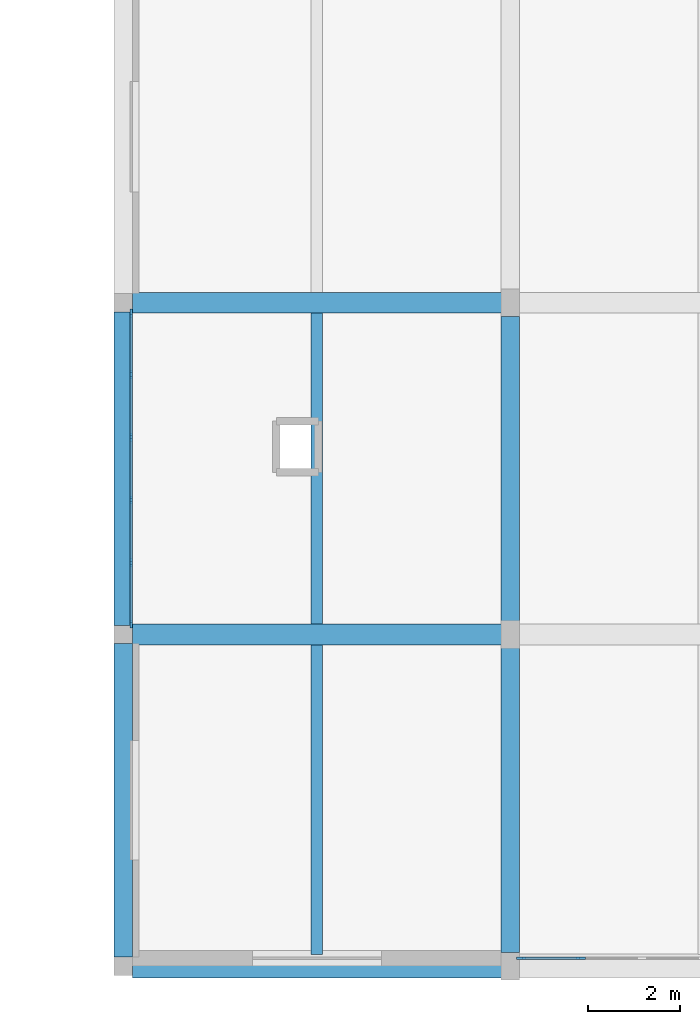
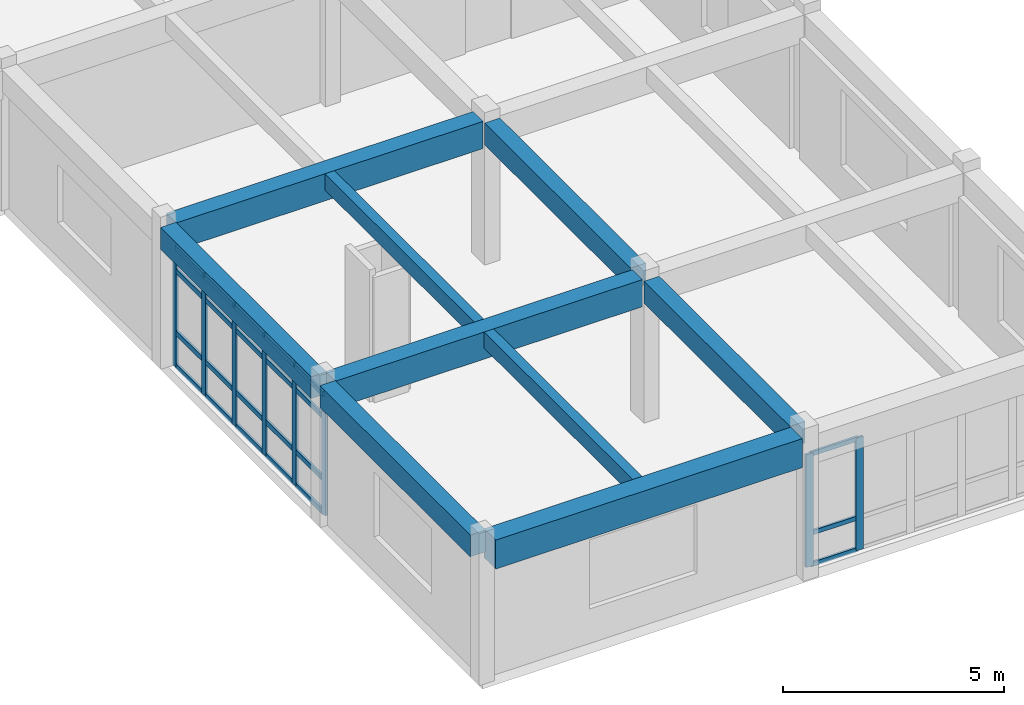
# One storey, part 43 of 147: 31 members, 9 beams, 2 elements without a shape of their own.
"""IFC4 building model written with IfcOpenShell, lengths in metres."""

from ifc_helpers import new_model, si_unit, direction, frame, origin, origin_2d, place, context, subcontext, project, spatial, rectangle, extrude, material, material_profile, profile_set, type_object, element, aggregate, save


model = new_model("IFC4")

# Units and contexts
model_context = context("Model", 3, precision=1e-05, world=origin(), true_north=direction((0.0, 1.0)))
body_context = subcontext(model_context, "Body", "Model", "MODEL_VIEW")
ifc_project = project(units=[si_unit("LENGTHUNIT", "METRE"), si_unit("AREAUNIT", "SQUARE_METRE"), si_unit("VOLUMEUNIT", "CUBIC_METRE"), si_unit("PLANEANGLEUNIT", "RADIAN"), si_unit("MASSUNIT", "GRAM", prefix="KILO")], contexts=[model_context])

# Site, building, storey
site_placement = place(None, origin())
site = spatial("IfcSite", under=ifc_project, at=site_placement, CompositionType="ELEMENT")
building_placement = place(site_placement, origin())
building = spatial("IfcBuilding", under=site, at=building_placement, Name="Malvenik Polytechnic", CompositionType="ELEMENT")
storey_placement = place(building_placement, frame((0.0, 0.0, 5.10009765625)))
storey = spatial("IfcBuildingStorey", under=building, at=storey_placement, Name="L01", CompositionType="ELEMENT", Elevation=5.10009765625)

# Curtain wall, members
ifc_material_1 = material(Name="Anodised aluminium 6060-T6", Category="aluminium")
curtain_wall_type_1 = type_object("IfcCurtainWallType", Name="ARC-CW-CW-05", PredefinedType="NOTDEFINED", material=ifc_material_1)
curtain_wall_1_placement = place(storey_placement, origin())
curtain_wall_1 = element("IfcCurtainWall", 1, at=curtain_wall_1_placement, inside=storey, type_object=curtain_wall_type_1, Name="Unitised Curtain Wall CW-05 L01 #112", PredefinedType="NOTDEFINED")
ifc_material_2 = material(Name="Anodised aluminium", Category="aluminium")
ifc_material_profile_1 = material_profile(ifc_material_2, rectangle(XDim=0.06005859375, YDim=0.179931640625, at=origin_2d()), Name="ALU MULLION 60x180")
ifc_profile_set_1 = profile_set([ifc_material_profile_1], Name="Anodised aluminium")
member_type_1 = type_object("IfcMemberType", Name="ARC-CWM-180", PredefinedType="MULLION", material=ifc_profile_set_1)
member_1_placement = place(storey_placement, frame((117.77001953125, 7.427978515625, 0.0), z_axis=(0.0, 0.0, 1.0), x_axis=(-1.0, 0.0, 0.0)))
member_1 = element("IfcMember", 2, at=member_1_placement, type_object=member_type_1, Name="CW-05 mullion 1", PredefinedType="MULLION", context=body_context, shape_type="SweptSolid", body=[
    extrude(rectangle(XDim=0.06005859375, YDim=0.179931640625, at=origin_2d()), origin(), (0.0, 0.0, 1.0), 3.309814453125),
])
member_2_placement = place(storey_placement, frame((117.77001953125, 8.7587890625, 0.0), z_axis=(0.0, 0.0, 1.0), x_axis=(-1.0, 0.0, 0.0)))
member_2 = element("IfcMember", 3, at=member_2_placement, type_object=member_type_1, Name="CW-05 mullion 2", PredefinedType="MULLION", context=body_context, shape_type="SweptSolid", body=[
    extrude(rectangle(XDim=0.06005859375, YDim=0.179931640625, at=origin_2d()), origin(), (0.0, 0.0, 1.0), 3.309814453125),
])
member_3_placement = place(storey_placement, frame((117.77001953125, 10.11962890625, 0.0), z_axis=(0.0, 0.0, 1.0), x_axis=(-1.0, 0.0, 0.0)))
member_3 = element("IfcMember", 4, at=member_3_placement, type_object=member_type_1, Name="CW-05 mullion 3", PredefinedType="MULLION", context=body_context, shape_type="SweptSolid", body=[
    extrude(rectangle(XDim=0.06005859375, YDim=0.179931640625, at=origin_2d()), origin(), (0.0, 0.0, 1.0), 3.309814453125),
])
member_4_placement = place(storey_placement, frame((117.77001953125, 11.48046875, 0.0), z_axis=(0.0, 0.0, 1.0), x_axis=(-1.0, 0.0, 0.0)))
member_4 = element("IfcMember", 5, at=member_4_placement, type_object=member_type_1, Name="CW-05 mullion 4", PredefinedType="MULLION", context=body_context, shape_type="SweptSolid", body=[
    extrude(rectangle(XDim=0.06005859375, YDim=0.179931640625, at=origin_2d()), origin(), (0.0, 0.0, 1.0), 3.309814453125),
])
member_5_placement = place(storey_placement, frame((117.77001953125, 12.84130859375, 0.0), z_axis=(0.0, 0.0, 1.0), x_axis=(-1.0, 0.0, 0.0)))
member_5 = element("IfcMember", 6, at=member_5_placement, type_object=member_type_1, Name="CW-05 mullion 5", PredefinedType="MULLION", context=body_context, shape_type="SweptSolid", body=[
    extrude(rectangle(XDim=0.06005859375, YDim=0.179931640625, at=origin_2d()), origin(), (0.0, 0.0, 1.0), 3.309814453125),
])
member_6_placement = place(storey_placement, frame((117.77001953125, 14.172119140625, 0.0), z_axis=(0.0, 0.0, 1.0), x_axis=(-1.0, 0.0, 0.0)))
member_6 = element("IfcMember", 7, at=member_6_placement, type_object=member_type_1, Name="CW-05 mullion 6", PredefinedType="MULLION", context=body_context, shape_type="SweptSolid", body=[
    extrude(rectangle(XDim=0.06005859375, YDim=0.179931640625, at=origin_2d()), origin(), (0.0, 0.0, 1.0), 3.309814453125),
])

curtain_wall_type_2 = type_object("IfcCurtainWallType", Name="ARC-CW-CW-02", PredefinedType="NOTDEFINED", material=ifc_material_1)
curtain_wall_2_placement = place(storey_placement, origin())
curtain_wall_2 = element("IfcCurtainWall", 8, at=curtain_wall_2_placement, inside=storey, type_object=curtain_wall_type_2, Name="Unitised Curtain Wall CW-02 L01 #111", PredefinedType="NOTDEFINED")
ifc_material_profile_2 = material_profile(ifc_material_2, rectangle(XDim=0.06005859375, YDim=0.199951171875, at=origin_2d()), Name="ALU MULLION 60x200")
ifc_profile_set_2 = profile_set([ifc_material_profile_2], Name="Anodised aluminium")
member_type_2 = type_object("IfcMemberType", Name="ARC-CWM-200", PredefinedType="MULLION", material=ifc_profile_set_2)
member_7_placement = place(storey_placement, frame((127.52783203125, 0.169921875, 0.0), z_axis=(0.0, 0.0, 1.0), x_axis=(0.0, -1.0, 0.0)))
member_7 = element("IfcMember", 9, at=member_7_placement, type_object=member_type_2, Name="CW-02 mullion 6", PredefinedType="MULLION", context=body_context, shape_type="SweptSolid", body=[
    extrude(rectangle(XDim=0.06005859375, YDim=0.199951171875, at=origin_2d()), origin(), (0.0, 0.0, 1.0), 3.10986328125),
])
member_8_placement = place(storey_placement, frame((126.22802734375, 0.169921875, 0.0), z_axis=(0.0, 0.0, 1.0), x_axis=(0.0, -1.0, 0.0)))
member_8 = element("IfcMember", 10, at=member_8_placement, type_object=member_type_2, Name="CW-02 mullion 7", PredefinedType="MULLION", context=body_context, shape_type="SweptSolid", body=[
    extrude(rectangle(XDim=0.06005859375, YDim=0.199951171875, at=origin_2d()), origin(), (0.0, 0.0, 1.0), 3.10986328125),
])
ifc_material_profile_3 = material_profile(ifc_material_2, rectangle(XDim=0.06005859375, YDim=0.1201171875, at=origin_2d()), Name="ALU TRANSOM 60x120")
ifc_profile_set_3 = profile_set([ifc_material_profile_3], Name="Anodised aluminium")
member_type_3 = type_object("IfcMemberType", Name="ARC-CWT-120", PredefinedType="USERDEFINED", material=ifc_profile_set_3)
member_9_placement = place(storey_placement, frame((127.497802734375, 0.169921875, 0.02978515625), z_axis=(-1.0, 0.0, 0.0), x_axis=(0.0, -1.0, 0.0)))
member_9 = element("IfcMember", 11, at=member_9_placement, type_object=member_type_3, Name="CW-02 transom 6.1", ObjectType="TRANSOM", PredefinedType="USERDEFINED", context=body_context, shape_type="SweptSolid", body=[
    extrude(rectangle(XDim=0.06005859375, YDim=0.1201171875, at=origin_2d()), origin(), (0.0, 0.0, 1.0), 1.23974609375),
])
member_10_placement = place(storey_placement, frame((127.497802734375, 0.169921875, 0.89990234375), z_axis=(-1.0, 0.0, 0.0), x_axis=(0.0, -1.0, 0.0)))
member_10 = element("IfcMember", 12, at=member_10_placement, type_object=member_type_3, Name="CW-02 transom 6.2", ObjectType="TRANSOM", PredefinedType="USERDEFINED", context=body_context, shape_type="SweptSolid", body=[
    extrude(rectangle(XDim=0.06005859375, YDim=0.1201171875, at=origin_2d()), origin(), (0.0, 0.0, 1.0), 1.23974609375),
])
member_11_placement = place(storey_placement, frame((127.497802734375, 0.169921875, 3.079833984375), z_axis=(-1.0, 0.0, 0.0), x_axis=(0.0, -1.0, 0.0)))
member_11 = element("IfcMember", 13, at=member_11_placement, type_object=member_type_3, Name="CW-02 transom 6.3", ObjectType="TRANSOM", PredefinedType="USERDEFINED", context=body_context, shape_type="SweptSolid", body=[
    extrude(rectangle(XDim=0.06005859375, YDim=0.1201171875, at=origin_2d()), origin(), (0.0, 0.0, 1.0), 1.23974609375),
])
aggregate(curtain_wall_2, [member_7, member_8, member_9, member_10, member_11])

# Member
ifc_material_profile_4 = material_profile(ifc_material_2, rectangle(XDim=0.06005859375, YDim=0.139892578125, at=origin_2d()), Name="ALU TRANSOM 60x140")
ifc_profile_set_4 = profile_set([ifc_material_profile_4], Name="Anodised aluminium")
member_type_4 = type_object("IfcMemberType", Name="ARC-CWT-140", PredefinedType="USERDEFINED", material=ifc_profile_set_4)
member_12_placement = place(storey_placement, frame((117.77001953125, 7.4580078125, 0.02978515625), z_axis=(0.0, 1.0, 0.0), x_axis=(-1.0, 0.0, 0.0)))
member_12 = element("IfcMember", 14, at=member_12_placement, type_object=member_type_4, Name="CW-05 transom 1.1", ObjectType="TRANSOM", PredefinedType="USERDEFINED", context=body_context, shape_type="SweptSolid", body=[
    extrude(rectangle(XDim=0.06005859375, YDim=0.139892578125, at=origin_2d()), origin(), (0.0, 0.0, 1.0), 1.270751953125),
])

member_13_placement = place(storey_placement, frame((117.77001953125, 7.4580078125, 0.949951171875), z_axis=(0.0, 1.0, 0.0), x_axis=(-1.0, 0.0, 0.0)))
member_13 = element("IfcMember", 15, at=member_13_placement, type_object=member_type_4, Name="CW-05 transom 1.2", ObjectType="TRANSOM", PredefinedType="USERDEFINED", context=body_context, shape_type="SweptSolid", body=[
    extrude(rectangle(XDim=0.06005859375, YDim=0.139892578125, at=origin_2d()), origin(), (0.0, 0.0, 1.0), 1.270751953125),
])

member_14_placement = place(storey_placement, frame((117.77001953125, 7.4580078125, 2.659912109375), z_axis=(0.0, 1.0, 0.0), x_axis=(-1.0, 0.0, 0.0)))
member_14 = element("IfcMember", 16, at=member_14_placement, type_object=member_type_4, Name="CW-05 transom 1.3", ObjectType="TRANSOM", PredefinedType="USERDEFINED", context=body_context, shape_type="SweptSolid", body=[
    extrude(rectangle(XDim=0.06005859375, YDim=0.139892578125, at=origin_2d()), origin(), (0.0, 0.0, 1.0), 1.270751953125),
])

member_15_placement = place(storey_placement, frame((117.77001953125, 7.4580078125, 3.27978515625), z_axis=(0.0, 1.0, 0.0), x_axis=(-1.0, 0.0, 0.0)))
member_15 = element("IfcMember", 17, at=member_15_placement, type_object=member_type_4, Name="CW-05 transom 1.4", ObjectType="TRANSOM", PredefinedType="USERDEFINED", context=body_context, shape_type="SweptSolid", body=[
    extrude(rectangle(XDim=0.06005859375, YDim=0.139892578125, at=origin_2d()), origin(), (0.0, 0.0, 1.0), 1.270751953125),
])

member_16_placement = place(storey_placement, frame((117.77001953125, 8.788818359375, 0.02978515625), z_axis=(0.0, 1.0, 0.0), x_axis=(-1.0, 0.0, 0.0)))
member_16 = element("IfcMember", 18, at=member_16_placement, type_object=member_type_4, Name="CW-05 transom 2.1", ObjectType="TRANSOM", PredefinedType="USERDEFINED", context=body_context, shape_type="SweptSolid", body=[
    extrude(rectangle(XDim=0.06005859375, YDim=0.139892578125, at=origin_2d()), origin(), (0.0, 0.0, 1.0), 1.30078125),
])

member_17_placement = place(storey_placement, frame((117.77001953125, 8.788818359375, 0.949951171875), z_axis=(0.0, 1.0, 0.0), x_axis=(-1.0, 0.0, 0.0)))
member_17 = element("IfcMember", 19, at=member_17_placement, type_object=member_type_4, Name="CW-05 transom 2.2", ObjectType="TRANSOM", PredefinedType="USERDEFINED", context=body_context, shape_type="SweptSolid", body=[
    extrude(rectangle(XDim=0.06005859375, YDim=0.139892578125, at=origin_2d()), origin(), (0.0, 0.0, 1.0), 1.30078125),
])

member_18_placement = place(storey_placement, frame((117.77001953125, 8.788818359375, 2.659912109375), z_axis=(0.0, 1.0, 0.0), x_axis=(-1.0, 0.0, 0.0)))
member_18 = element("IfcMember", 20, at=member_18_placement, type_object=member_type_4, Name="CW-05 transom 2.3", ObjectType="TRANSOM", PredefinedType="USERDEFINED", context=body_context, shape_type="SweptSolid", body=[
    extrude(rectangle(XDim=0.06005859375, YDim=0.139892578125, at=origin_2d()), origin(), (0.0, 0.0, 1.0), 1.30078125),
])

member_19_placement = place(storey_placement, frame((117.77001953125, 8.788818359375, 3.27978515625), z_axis=(0.0, 1.0, 0.0), x_axis=(-1.0, 0.0, 0.0)))
member_19 = element("IfcMember", 21, at=member_19_placement, type_object=member_type_4, Name="CW-05 transom 2.4", ObjectType="TRANSOM", PredefinedType="USERDEFINED", context=body_context, shape_type="SweptSolid", body=[
    extrude(rectangle(XDim=0.06005859375, YDim=0.139892578125, at=origin_2d()), origin(), (0.0, 0.0, 1.0), 1.30078125),
])

member_20_placement = place(storey_placement, frame((117.77001953125, 10.149658203125, 0.02978515625), z_axis=(0.0, 1.0, 0.0), x_axis=(-1.0, 0.0, 0.0)))
member_20 = element("IfcMember", 22, at=member_20_placement, type_object=member_type_4, Name="CW-05 transom 3.1", ObjectType="TRANSOM", PredefinedType="USERDEFINED", context=body_context, shape_type="SweptSolid", body=[
    extrude(rectangle(XDim=0.06005859375, YDim=0.139892578125, at=origin_2d()), origin(), (0.0, 0.0, 1.0), 1.30078125),
])

member_21_placement = place(storey_placement, frame((117.77001953125, 10.149658203125, 0.949951171875), z_axis=(0.0, 1.0, 0.0), x_axis=(-1.0, 0.0, 0.0)))
member_21 = element("IfcMember", 23, at=member_21_placement, type_object=member_type_4, Name="CW-05 transom 3.2", ObjectType="TRANSOM", PredefinedType="USERDEFINED", context=body_context, shape_type="SweptSolid", body=[
    extrude(rectangle(XDim=0.06005859375, YDim=0.139892578125, at=origin_2d()), origin(), (0.0, 0.0, 1.0), 1.30078125),
])

member_22_placement = place(storey_placement, frame((117.77001953125, 10.149658203125, 2.659912109375), z_axis=(0.0, 1.0, 0.0), x_axis=(-1.0, 0.0, 0.0)))
member_22 = element("IfcMember", 24, at=member_22_placement, type_object=member_type_4, Name="CW-05 transom 3.3", ObjectType="TRANSOM", PredefinedType="USERDEFINED", context=body_context, shape_type="SweptSolid", body=[
    extrude(rectangle(XDim=0.06005859375, YDim=0.139892578125, at=origin_2d()), origin(), (0.0, 0.0, 1.0), 1.30078125),
])

member_23_placement = place(storey_placement, frame((117.77001953125, 10.149658203125, 3.27978515625), z_axis=(0.0, 1.0, 0.0), x_axis=(-1.0, 0.0, 0.0)))
member_23 = element("IfcMember", 25, at=member_23_placement, type_object=member_type_4, Name="CW-05 transom 3.4", ObjectType="TRANSOM", PredefinedType="USERDEFINED", context=body_context, shape_type="SweptSolid", body=[
    extrude(rectangle(XDim=0.06005859375, YDim=0.139892578125, at=origin_2d()), origin(), (0.0, 0.0, 1.0), 1.30078125),
])

member_24_placement = place(storey_placement, frame((117.77001953125, 11.510498046875, 0.02978515625), z_axis=(0.0, 1.0, 0.0), x_axis=(-1.0, 0.0, 0.0)))
member_24 = element("IfcMember", 26, at=member_24_placement, type_object=member_type_4, Name="CW-05 transom 4.1", ObjectType="TRANSOM", PredefinedType="USERDEFINED", context=body_context, shape_type="SweptSolid", body=[
    extrude(rectangle(XDim=0.06005859375, YDim=0.139892578125, at=origin_2d()), origin(), (0.0, 0.0, 1.0), 1.30078125),
])

member_25_placement = place(storey_placement, frame((117.77001953125, 11.510498046875, 0.949951171875), z_axis=(0.0, 1.0, 0.0), x_axis=(-1.0, 0.0, 0.0)))
member_25 = element("IfcMember", 27, at=member_25_placement, type_object=member_type_4, Name="CW-05 transom 4.2", ObjectType="TRANSOM", PredefinedType="USERDEFINED", context=body_context, shape_type="SweptSolid", body=[
    extrude(rectangle(XDim=0.06005859375, YDim=0.139892578125, at=origin_2d()), origin(), (0.0, 0.0, 1.0), 1.30078125),
])

member_26_placement = place(storey_placement, frame((117.77001953125, 11.510498046875, 2.659912109375), z_axis=(0.0, 1.0, 0.0), x_axis=(-1.0, 0.0, 0.0)))
member_26 = element("IfcMember", 28, at=member_26_placement, type_object=member_type_4, Name="CW-05 transom 4.3", ObjectType="TRANSOM", PredefinedType="USERDEFINED", context=body_context, shape_type="SweptSolid", body=[
    extrude(rectangle(XDim=0.06005859375, YDim=0.139892578125, at=origin_2d()), origin(), (0.0, 0.0, 1.0), 1.30078125),
])

member_27_placement = place(storey_placement, frame((117.77001953125, 11.510498046875, 3.27978515625), z_axis=(0.0, 1.0, 0.0), x_axis=(-1.0, 0.0, 0.0)))
member_27 = element("IfcMember", 29, at=member_27_placement, type_object=member_type_4, Name="CW-05 transom 4.4", ObjectType="TRANSOM", PredefinedType="USERDEFINED", context=body_context, shape_type="SweptSolid", body=[
    extrude(rectangle(XDim=0.06005859375, YDim=0.139892578125, at=origin_2d()), origin(), (0.0, 0.0, 1.0), 1.30078125),
])

member_28_placement = place(storey_placement, frame((117.77001953125, 12.87109375, 0.02978515625), z_axis=(0.0, 1.0, 0.0), x_axis=(-1.0, 0.0, 0.0)))
member_28 = element("IfcMember", 30, at=member_28_placement, type_object=member_type_4, Name="CW-05 transom 5.1", ObjectType="TRANSOM", PredefinedType="USERDEFINED", context=body_context, shape_type="SweptSolid", body=[
    extrude(rectangle(XDim=0.06005859375, YDim=0.139892578125, at=origin_2d()), origin(), (0.0, 0.0, 1.0), 1.27099609375),
])

member_29_placement = place(storey_placement, frame((117.77001953125, 12.87109375, 0.949951171875), z_axis=(0.0, 1.0, 0.0), x_axis=(-1.0, 0.0, 0.0)))
member_29 = element("IfcMember", 31, at=member_29_placement, type_object=member_type_4, Name="CW-05 transom 5.2", ObjectType="TRANSOM", PredefinedType="USERDEFINED", context=body_context, shape_type="SweptSolid", body=[
    extrude(rectangle(XDim=0.06005859375, YDim=0.139892578125, at=origin_2d()), origin(), (0.0, 0.0, 1.0), 1.27099609375),
])

member_30_placement = place(storey_placement, frame((117.77001953125, 12.87109375, 2.659912109375), z_axis=(0.0, 1.0, 0.0), x_axis=(-1.0, 0.0, 0.0)))
member_30 = element("IfcMember", 32, at=member_30_placement, type_object=member_type_4, Name="CW-05 transom 5.3", ObjectType="TRANSOM", PredefinedType="USERDEFINED", context=body_context, shape_type="SweptSolid", body=[
    extrude(rectangle(XDim=0.06005859375, YDim=0.139892578125, at=origin_2d()), origin(), (0.0, 0.0, 1.0), 1.27099609375),
])

member_31_placement = place(storey_placement, frame((117.77001953125, 12.87109375, 3.27978515625), z_axis=(0.0, 1.0, 0.0), x_axis=(-1.0, 0.0, 0.0)))
member_31 = element("IfcMember", 33, at=member_31_placement, type_object=member_type_4, Name="CW-05 transom 5.4", ObjectType="TRANSOM", PredefinedType="USERDEFINED", context=body_context, shape_type="SweptSolid", body=[
    extrude(rectangle(XDim=0.06005859375, YDim=0.139892578125, at=origin_2d()), origin(), (0.0, 0.0, 1.0), 1.27099609375),
])

aggregate(curtain_wall_1, [member_1, member_2, member_3, member_4, member_5, member_6, member_12, member_13, member_14, member_15, member_16, member_17, member_18, member_19, member_20, member_21, member_22, member_23, member_24, member_25, member_26, member_27, member_28, member_29, member_30, member_31])

# Beams
ifc_material_3 = material(Name="Concrete C35/45", Category="concrete")
ifc_material_profile_5 = material_profile(ifc_material_3, rectangle(XDim=0.449951171875, YDim=0.75, at=origin_2d()), Name="RC BM 450x750")
ifc_profile_set_5 = profile_set([ifc_material_profile_5], Name="Concrete C35/45")
beam_type_1 = type_object("IfcBeamType", Name="STR-BM-B-03", PredefinedType="BEAM", material=ifc_profile_set_5)
for number, where, z_axis, x_axis, name in (
    (34, (117.798095703125, 7.199951171875, 3.544921875), (1.0, 0.0, 0.0), (0.0, 1.0, 0.0), "Primary Beam B-03 L01 #965"),
    (35, (117.798095703125, 14.39990234375, 3.544921875), (1.0, 0.0, 0.0), (0.0, 1.0, 0.0), "Primary Beam B-03 L01 #967"),
):
    element("IfcBeam", number, at=place(storey_placement, frame(where, z_axis=z_axis, x_axis=x_axis)), inside=storey, type_object=beam_type_1, Name=name, PredefinedType="BEAM", context=body_context, shape_type="SweptSolid", body=[
        extrude(rectangle(XDim=0.449951171875, YDim=0.75, at=origin_2d()), origin(), (0.0, 0.0, 1.0), 8.00390625),
    ])
ifc_material_profile_6 = material_profile(ifc_material_3, rectangle(XDim=0.39990234375, YDim=0.60009765625, at=origin_2d()), Name="RC BM 400x600")
ifc_profile_set_6 = profile_set([ifc_material_profile_6], Name="Concrete C35/45")
beam_type_2 = type_object("IfcBeamType", Name="STR-BM-B-06", PredefinedType="BEAM", material=ifc_profile_set_6)
for number, where, z_axis, x_axis, name in (
    (36, (117.60009765625, 0.197998046875, 3.619873046875), (0.0, 1.0, 0.0), (-1.0, 0.0, 0.0), "Transverse Beam B-06 L01 #1217"),
    (37, (117.60009765625, 7.39794921875, 3.619873046875), (0.0, 1.0, 0.0), (-1.0, 0.0, 0.0), "Transverse Beam B-06 L01 #1218"),
):
    element("IfcBeam", number, at=place(storey_placement, frame(where, z_axis=z_axis, x_axis=x_axis)), inside=storey, type_object=beam_type_2, Name=name, PredefinedType="BEAM", context=body_context, shape_type="SweptSolid", body=[
        extrude(rectangle(XDim=0.39990234375, YDim=0.60009765625, at=origin_2d()), origin(), (0.0, 0.0, 1.0), 6.803955078125),
    ])
for number, where, z_axis, x_axis, name in (
    (38, (126.0, 0.298095703125, 3.619873046875), (0.0, 1.0, 0.0), (-1.0, 0.0, 0.0), "Transverse Beam B-06 L01 #1228"),
    (39, (126.0, 7.498046875, 3.619873046875), (0.0, 1.0, 0.0), (-1.0, 0.0, 0.0), "Transverse Beam B-06 L01 #1229"),
):
    element("IfcBeam", number, at=place(storey_placement, frame(where, z_axis=z_axis, x_axis=x_axis)), inside=storey, type_object=beam_type_2, Name=name, PredefinedType="BEAM", context=body_context, shape_type="SweptSolid", body=[
        extrude(rectangle(XDim=0.39990234375, YDim=0.60009765625, at=origin_2d()), origin(), (0.0, 0.0, 1.0), 6.60400390625),
    ])
ifc_material_4 = material(Name="Concrete C30/37", Category="concrete")
ifc_material_profile_7 = material_profile(ifc_material_4, rectangle(XDim=0.25, YDim=0.449951171875, at=origin_2d()), Name="RC JST 250x450")
ifc_profile_set_7 = profile_set([ifc_material_profile_7], Name="Concrete C30/37")
beam_type_3 = type_object("IfcBeamType", Name="STR-BM-J-02", PredefinedType="JOIST", material=ifc_profile_set_7)
beam_1_placement = place(storey_placement, frame((121.800048828125, 0.258056640625, 3.69482421875), z_axis=(0.0, 1.0, 0.0), x_axis=(-1.0, 0.0, 0.0)))
element("IfcBeam", 40, at=beam_1_placement, inside=storey, type_object=beam_type_3, Name="Secondary Rib Joist J-02 L01 #1309", PredefinedType="JOIST", context=body_context, shape_type="SweptSolid", body=[
    extrude(rectangle(XDim=0.25, YDim=0.449951171875, at=origin_2d()), origin(), (0.0, 0.0, 1.0), 6.718994140625),
])
beam_2_placement = place(storey_placement, frame((121.800048828125, 7.423095703125, 3.69482421875), z_axis=(0.0, 1.0, 0.0), x_axis=(-1.0, 0.0, 0.0)))
element("IfcBeam", 41, at=beam_2_placement, inside=storey, type_object=beam_type_3, Name="Secondary Rib Joist J-02 L01 #1310", PredefinedType="JOIST", context=body_context, shape_type="SweptSolid", body=[
    extrude(rectangle(XDim=0.25, YDim=0.449951171875, at=origin_2d()), origin(), (0.0, 0.0, 1.0), 6.75390625),
])
ifc_material_5 = material(Name="Precast concrete C40/50", Category="concrete")
ifc_material_profile_8 = material_profile(ifc_material_5, rectangle(XDim=0.52001953125, YDim=0.800048828125, at=origin_2d()), Name="PC SPN 520x800")
ifc_profile_set_8 = profile_set([ifc_material_profile_8], Name="Precast concrete C40/50")
beam_type_4 = type_object("IfcBeamType", Name="STR-BM-SP-01", PredefinedType="SPANDREL", material=ifc_profile_set_8)
beam_3_placement = place(storey_placement, frame((117.798095703125, 0.0, 3.52001953125), z_axis=(1.0, 0.0, 0.0), x_axis=(0.0, 1.0, 0.0)))
element("IfcBeam", 42, at=beam_3_placement, inside=storey, type_object=beam_type_4, Name="Primary Beam SP-01 L01 #963", PredefinedType="SPANDREL", context=body_context, shape_type="SweptSolid", body=[
    extrude(rectangle(XDim=0.52001953125, YDim=0.800048828125, at=origin_2d()), origin(), (0.0, 0.0, 1.0), 8.00390625),
])

save(model, "model.ifc")
